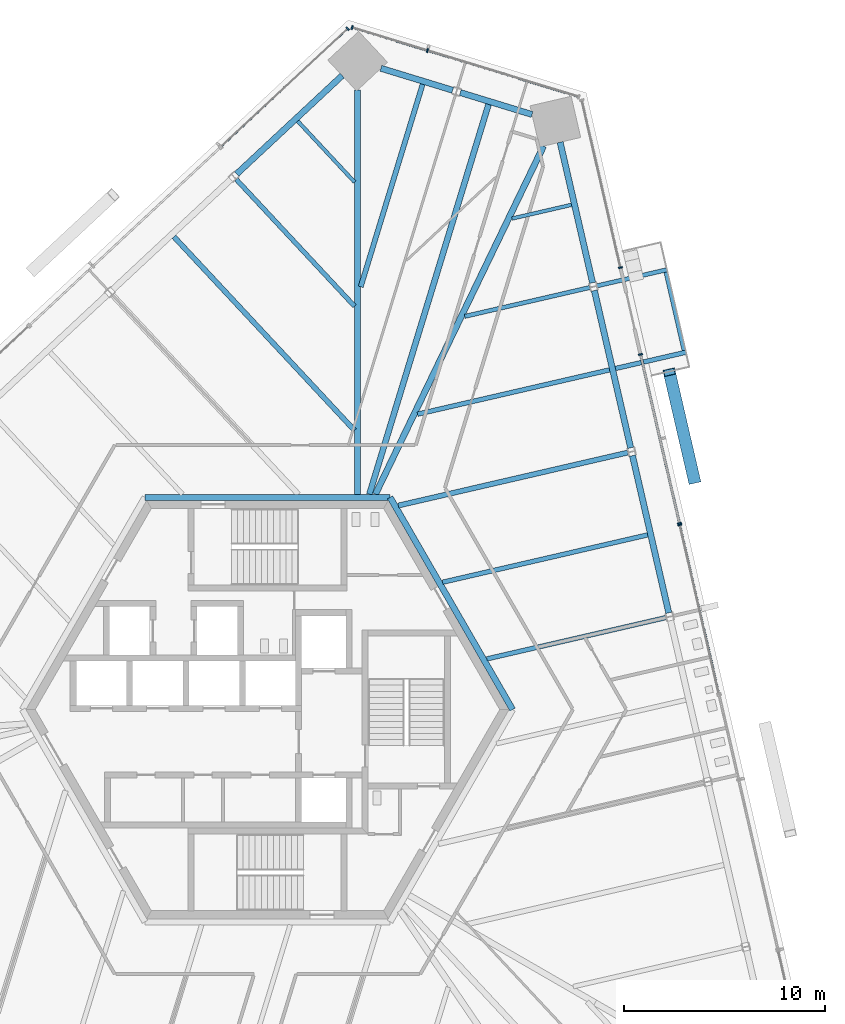
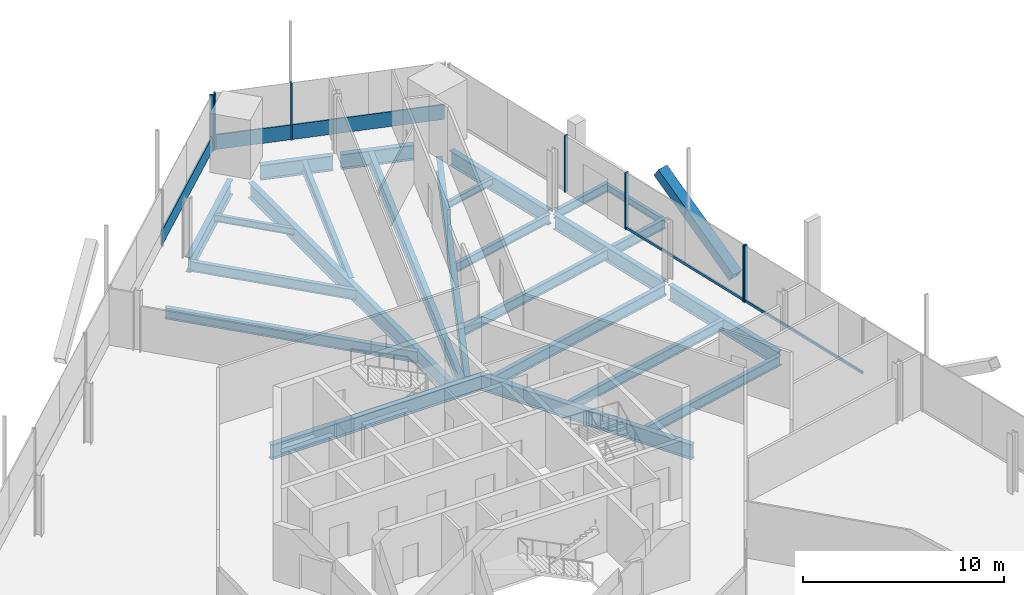
# One storey, part 8 of 21: 24 beams, 13 members, 5 elements without a shape of their own.
"""IFC4 building model written with IfcOpenShell, lengths in metres."""

import ifcopenshell
import ifcopenshell.guid

model = None  # the IFC model being written
_history = None  # IfcOwnerHistory: only IFC2X3 demands one
_inside = {}  # id of a spatial element -> (the spatial element, [elements in it])
_under = {}  # id of a project, library or spatial element -> (it, [spatial elements below it])
_declared = {}  # id of a project -> (the project, [libraries it declares])
_typed = {}  # id of a type object -> (the type object, [elements of that type])
_made_of = {}  # id of a material, layer set ... -> (it, [elements and type objects made of it])


def new_model(schema):
    """Start an empty IFC model of exactly this schema.

    Asked for "IFC4X3", IfcOpenShell would pick the latest addendum, in which some entities
    have other attributes; the version numbers below select the first issue.
    IFC2X3 requires an IfcOwnerHistory on every rooted entity: one is made here for all.
    """
    global model, _history
    if schema == "IFC4X3":
        model = ifcopenshell.file(schema_version=(4, 3, 0, 0))
    else:
        model = ifcopenshell.file(schema=schema)
    _inside.clear()
    _under.clear()
    _declared.clear()
    _typed.clear()
    _made_of.clear()
    _history = None
    if model.schema == "IFC2X3":
        org = make("IfcOrganization", Name="unknown")
        user = make(
            "IfcPersonAndOrganization",
            ThePerson=make("IfcPerson", FamilyName="unknown"),
            TheOrganization=org,
        )
        app = make(
            "IfcApplication",
            ApplicationDeveloper=org,
            Version="unknown",
            ApplicationFullName="unknown",
            ApplicationIdentifier="unknown",
        )
        _history = make(
            "IfcOwnerHistory",
            OwningUser=user,
            OwningApplication=app,
            ChangeAction="ADDED",
            CreationDate=0,
        )
    return model


def make(cls, **values):
    """One entity of the class cls with the attributes given. An attribute that is None is left unset."""
    return model.create_entity(
        cls, **{name: value for name, value in values.items() if value is not None}
    )


def rooted(cls, **values):
    """An entity with a GlobalId (a new one), such as an element, a storey or a relation."""
    return make(cls, GlobalId=ifcopenshell.guid.new(), OwnerHistory=_history, **values)


def si_unit(unit_type, name, prefix=None):
    """IfcSIUnit, for example si_unit("LENGTHUNIT", "METRE", prefix="MILLI")."""
    return make("IfcSIUnit", UnitType=unit_type, Prefix=prefix, Name=name)


def assignment(units):
    """IfcUnitAssignment: the units of a project."""
    return None if units is None else make("IfcUnitAssignment", Units=units)


def point(xyz):
    """IfcCartesianPoint."""
    return None if xyz is None else make("IfcCartesianPoint", Coordinates=xyz)


def direction(xyz):
    """IfcDirection."""
    return None if xyz is None else make("IfcDirection", DirectionRatios=xyz)


def frame(location, z_axis=None, x_axis=None):
    """IfcAxis2Placement3D, a coordinate frame: its origin and axes. An axis left out is left unset."""
    return make(
        "IfcAxis2Placement3D",
        Location=point(location),
        Axis=direction(z_axis),
        RefDirection=direction(x_axis),
    )


def frame_2d(location, x_axis=None):
    """IfcAxis2Placement2D, a coordinate frame in the plane: its origin and x axis."""
    return make(
        "IfcAxis2Placement2D", Location=point(location), RefDirection=direction(x_axis)
    )


def origin():
    """The frame at (0, 0, 0) with its axes left unset."""
    return frame((0.0, 0.0, 0.0))


def origin_2d():
    """The frame at (0, 0) in the plane with its x axis left unset."""
    return frame_2d((0.0, 0.0))


def place(relative_to, where):
    """IfcLocalPlacement: puts the frame where relative to a parent placement (None: the world)."""
    return make(
        "IfcLocalPlacement", PlacementRelTo=relative_to, RelativePlacement=where
    )


def context(
    kind, dimensions, precision=None, world=None, true_north=None, identifier=None
):
    """IfcGeometricRepresentationContext, for example the 3D "Model" context."""
    return make(
        "IfcGeometricRepresentationContext",
        ContextIdentifier=identifier,
        ContextType=kind,
        CoordinateSpaceDimension=dimensions,
        Precision=precision,
        WorldCoordinateSystem=world,
        TrueNorth=true_north,
    )


def subcontext(parent, identifier, kind, view, scale=None):
    """IfcGeometricRepresentationSubContext, for example "Body" below "Model"."""
    return make(
        "IfcGeometricRepresentationSubContext",
        ContextIdentifier=identifier,
        ContextType=kind,
        ParentContext=parent,
        TargetScale=scale,
        TargetView=view,
    )


def project(units=None, contexts=None):
    """IfcProject with its units and contexts."""
    return rooted(
        "IfcProject",
        Name="project",
        RepresentationContexts=contexts,
        UnitsInContext=assignment(units),
    )


def spatial(cls, under=None, at=None, **own):
    """A site, building, storey or space (cls), placed at a placement, below another one or the project."""
    s = rooted(cls, ObjectPlacement=at, **own)
    if under is not None:
        _under.setdefault(under.id(), (under, []))[1].append(s)
    return s


def profile(cls, at=None, kind="AREA", **sizes):
    """A parametric profile (cls). Its sizes go by their IFC names, for example OverallWidth=200.0."""
    return make(cls, ProfileType=kind, Position=at, **sizes)


def rectangle(**sizes):
    """IfcRectangleProfileDef."""
    return profile("IfcRectangleProfileDef", **sizes)


def hollow_rectangle(**sizes):
    """IfcRectangleHollowProfileDef."""
    return profile("IfcRectangleHollowProfileDef", **sizes)


def i_section(**sizes):
    """IfcIShapeProfileDef."""
    return profile("IfcIShapeProfileDef", **sizes)


def extrude(swept, where, along, depth):
    """IfcExtrudedAreaSolid: the profile swept, set in the frame where, extruded along a direction by depth."""
    return make(
        "IfcExtrudedAreaSolid",
        SweptArea=swept,
        Position=where,
        ExtrudedDirection=direction(along),
        Depth=depth,
    )


def shape(context_of_items, identifier, shape_type, items):
    """IfcShapeRepresentation: the items that make up one representation, for example the "Body"."""
    return make(
        "IfcShapeRepresentation",
        ContextOfItems=context_of_items,
        RepresentationIdentifier=identifier,
        RepresentationType=shape_type,
        Items=items,
    )


def source(mapping_origin, context_of_items, identifier, shape_type, items):
    """IfcRepresentationMap: a shape defined once, which mapped items show again and again."""
    return make(
        "IfcRepresentationMap",
        MappingOrigin=mapping_origin,
        MappedRepresentation=shape(context_of_items, identifier, shape_type, items),
    )


def transform(
    local_origin,
    x_axis=None,
    y_axis=None,
    z_axis=None,
    scale=None,
    scale2=None,
    scale3=None,
    uniform=True,
):
    """IfcCartesianTransformationOperator3D, or its non-uniform kind. x_axis, y_axis, z_axis: its Axis1, 2, 3."""
    if uniform:
        return make(
            "IfcCartesianTransformationOperator3D",
            Axis1=direction(x_axis),
            Axis2=direction(y_axis),
            LocalOrigin=point(local_origin),
            Scale=scale,
            Axis3=direction(z_axis),
        )
    return make(
        "IfcCartesianTransformationOperator3DnonUniform",
        Axis1=direction(x_axis),
        Axis2=direction(y_axis),
        LocalOrigin=point(local_origin),
        Scale=scale,
        Axis3=direction(z_axis),
        Scale2=scale2,
        Scale3=scale3,
    )


def mapped(mapping_source, mapping_target):
    """IfcMappedItem: shows the shape of a source again, moved by a transform."""
    return make(
        "IfcMappedItem", MappingSource=mapping_source, MappingTarget=mapping_target
    )


def material(Name=None, Category=None):
    """IfcMaterial."""
    return make("IfcMaterial", Name=Name, Category=Category)


def material_profile(
    of_material, cross_section, Name=None, Category=None, Priority=None
):
    """IfcMaterialProfile: a cross section and its material."""
    return make(
        "IfcMaterialProfile",
        Name=Name,
        Material=of_material,
        Profile=cross_section,
        Priority=Priority,
        Category=Category,
    )


def profile_set(profiles, Name=None, composite=None):
    """IfcMaterialProfileSet."""
    return make(
        "IfcMaterialProfileSet",
        Name=Name,
        MaterialProfiles=profiles,
        CompositeProfile=composite,
    )


def made_of(thing, what):
    """Note that an element or type object is made of a material, layer set ...; save() writes the relation."""
    if what is not None:
        _made_of.setdefault(what.id(), (what, []))[1].append(thing)
    return thing


def type_object(cls, material=None, **own):
    """A type object (cls), such as IfcWallType, which elements share."""
    return made_of(rooted(cls, **own), material)


def element(
    cls,
    number,
    at=None,
    inside=None,
    cuts=None,
    type_object=None,
    material=None,
    context=None,
    identifier="Body",
    shape_type=None,
    held_by="IfcProductDefinitionShape",
    body=None,
    shapes=None,
    **own,
):
    """One element of the class cls, such as IfcWall. Its Tag is "e" and its number.

    at: its placement. inside: the storey or other place that contains it. cuts: it is an
    opening in that element (IfcRelVoidsElement). A single representation is given by context,
    identifier, shape_type and body (its items); several are given by shapes. held_by: the class
    of the entity that holds the representations. save() writes the other relations.
    """
    e = rooted(cls, Tag="e%d" % number, ObjectPlacement=at, **own)
    if body is not None:
        shapes = [shape(context, identifier, shape_type, body)]
    if shapes is not None:
        e.Representation = make(held_by, Representations=shapes)
    if inside is not None:
        _inside.setdefault(inside.id(), (inside, []))[1].append(e)
    if cuts is not None:
        rooted(
            "IfcRelVoidsElement", RelatingBuildingElement=cuts, RelatedOpeningElement=e
        )
    if type_object is not None:
        _typed.setdefault(type_object.id(), (type_object, []))[1].append(e)
    return made_of(e, material)


def aggregate(whole, parts):
    """IfcRelAggregates: a whole, such as a stair, and the parts it consists of."""
    return rooted("IfcRelAggregates", RelatingObject=whole, RelatedObjects=parts)


def save(model, path):
    """Write the relations noted so far, then the file.

    IfcRelAggregates (storeys below a building ...), IfcRelContainedInSpatialStructure (elements
    in a storey), IfcRelDefinesByType, IfcRelAssociatesMaterial and IfcRelDeclares: one each for
    every whole, place, type object, material and project.
    """
    for whole, parts in _under.values():
        aggregate(whole, parts)
    for where, things in _inside.values():
        rooted(
            "IfcRelContainedInSpatialStructure",
            RelatedElements=things,
            RelatingStructure=where,
        )
    for kind, things in _typed.values():
        rooted("IfcRelDefinesByType", RelatedObjects=things, RelatingType=kind)
    for what, things in _made_of.values():
        rooted("IfcRelAssociatesMaterial", RelatedObjects=things, RelatingMaterial=what)
    for by, libraries in _declared.values():
        rooted("IfcRelDeclares", RelatingContext=by, RelatedDefinitions=libraries)
    model.write(path)


model = new_model("IFC4")

# Units and contexts
model_context = context("Model", 3, precision=1e-05, world=origin(), true_north=direction((0.0, 1.0)))
body_context = subcontext(model_context, "Body", "Model", "MODEL_VIEW")
ifc_project = project(units=[si_unit("LENGTHUNIT", "METRE"), si_unit("AREAUNIT", "SQUARE_METRE"), si_unit("VOLUMEUNIT", "CUBIC_METRE"), si_unit("PLANEANGLEUNIT", "RADIAN"), si_unit("MASSUNIT", "GRAM", prefix="KILO")], contexts=[model_context])

# Site, building, storey
site_placement = place(None, origin())
site = spatial("IfcSite", under=ifc_project, at=site_placement, CompositionType="ELEMENT")
building_placement = place(site_placement, origin())
building = spatial("IfcBuilding", under=site, at=building_placement, Name="Triune Harvest Tower", CompositionType="ELEMENT")
storey_placement = place(building_placement, frame((0.0, 0.0, 119.89990234375)))
storey = spatial("IfcBuildingStorey", under=building, at=storey_placement, Name="L30", CompositionType="ELEMENT", Elevation=119.89990234375)

# Beams
ifc_material_1 = material(Name="Steel ASTM A992 Gr 50", Category="steel")
ifc_material_profile_1 = material_profile(ifc_material_1, i_section(OverallWidth=0.180908203125, OverallDepth=0.41650390625, WebThickness=0.010986328125, FlangeThickness=0.01806640625, at=origin_2d()), Name="W16x57")
ifc_profile_set_1 = profile_set([ifc_material_profile_1], Name="Steel ASTM A992 Gr 50")
beam_type_1 = type_object("IfcBeamType", Name="BE-1 balcony edge beam W16x57", PredefinedType="BEAM", material=ifc_profile_set_1)
beam_1_placement = place(storey_placement, frame((19.78369140625, 21.731201171875, -0.3681640625), z_axis=(0.22493551959, -0.974373651135, 0.0), x_axis=(0.974373651135, 0.22493551959, 0.0)))
element("IfcBeam", 1, at=beam_1_placement, inside=storey, type_object=beam_type_1, Name="Balcony edge beam B3-F1 L30.10", PredefinedType="BEAM", context=body_context, shape_type="SweptSolid", body=[
    extrude(i_section(OverallWidth=0.180908203125, OverallDepth=0.41650390625, WebThickness=0.010986328125, FlangeThickness=0.01806640625, at=origin_2d()), origin(), (0.0, 0.0, 1.0), 3.98779296875),
])
ifc_material_2 = material(Name="Steel ASTM A992 Gr 50", Category="steel")
ifc_material_profile_2 = material_profile(ifc_material_2, i_section(OverallWidth=0.3046875, OverallDepth=0.914306640625, WebThickness=0.0166015625, FlangeThickness=0.02587890625, at=origin_2d()), Name="W36x160")
ifc_profile_set_2 = profile_set([ifc_material_profile_2], Name="Steel ASTM A992 Gr 50")
beam_type_2 = type_object("IfcBeamType", Name="CG-1 Core ring girder W36x160", PredefinedType="BEAM", material=ifc_profile_set_2)
shared_shape_1 = source(origin(), body_context, "Body", "SweptSolid", [
    extrude(i_section(OverallWidth=0.3046875, OverallDepth=0.914306640625, WebThickness=0.0166015625, FlangeThickness=0.02587890625, at=origin_2d()), origin(), (0.0, 0.0, 1.0), 12.176025390625),
])
beam_2_placement = place(storey_placement, frame((12.176025390625, 0.0, -0.6171875), z_axis=(-0.5000099932, 0.866019634131, 0.0), x_axis=(-0.866019634131, -0.5000099932, 0.0)))
element("IfcBeam", 2, at=beam_2_placement, inside=storey, type_object=beam_type_2, Name="beam/L30/CG1", PredefinedType="BEAM", context=body_context, shape_type="MappedRepresentation", body=[
    mapped(shared_shape_1, transform((0.0, 0.0, 0.0), scale=1.0)),
])
shared_shape_2 = source(origin(), body_context, "Body", "SweptSolid", [
    extrude(i_section(OverallWidth=0.3046875, OverallDepth=0.914306640625, WebThickness=0.0166015625, FlangeThickness=0.02587890625, at=origin_2d()), origin(), (0.0, 0.0, 1.0), 12.17578125),
])
beam_3_placement = place(storey_placement, frame((6.087890625, 10.544677734375, -0.6171875), z_axis=(-1.0, 0.0, 0.0), x_axis=(0.0, -1.0, 0.0)))
element("IfcBeam", 3, at=beam_3_placement, inside=storey, type_object=beam_type_2, Name="beam/L30/CG2", PredefinedType="BEAM", context=body_context, shape_type="MappedRepresentation", body=[
    mapped(shared_shape_2, transform((0.0, 0.0, 0.0), scale=1.0)),
])
ifc_material_3 = material(Name="Steel ASTM A992 Gr 50", Category="steel")
ifc_material_profile_3 = material_profile(ifc_material_3, i_section(OverallWidth=0.3046875, OverallDepth=0.914306640625, WebThickness=0.0166015625, FlangeThickness=0.02587890625, at=origin_2d()), Name="W36x160")
ifc_profile_set_3 = profile_set([ifc_material_profile_3], Name="Steel ASTM A992 Gr 50")
beam_type_3 = type_object("IfcBeamType", Name="SB-1 Spandrel beam W36x160", PredefinedType="SPANDREL", material=ifc_profile_set_3)
shared_shape_3 = source(origin(), body_context, "Body", "SweptSolid", [
    extrude(i_section(OverallWidth=0.3046875, OverallDepth=0.914306640625, WebThickness=0.0166015625, FlangeThickness=0.02587890625, at=origin_2d()), origin(), (0.0, 0.0, 1.0), 8.0185546875),
])
beam_4_placement = place(storey_placement, frame((18.04248046875, 13.00439453125, -0.6171875), z_axis=(-0.224915098534, 0.974378365139, 0.0), x_axis=(-0.974378365139, -0.224915098534, 0.0)))
element("IfcBeam", 4, at=beam_4_placement, inside=storey, type_object=beam_type_3, Name="beam/L30/SB5", PredefinedType="SPANDREL", context=body_context, shape_type="MappedRepresentation", body=[
    mapped(shared_shape_3, transform((0.0, 0.0, 0.0), scale=1.0)),
])
shared_shape_4 = source(origin(), body_context, "Body", "SweptSolid", [
    extrude(i_section(OverallWidth=0.3046875, OverallDepth=0.914306640625, WebThickness=0.0166015625, FlangeThickness=0.02587890625, at=origin_2d()), origin(), (0.0, 0.0, 1.0), 8.01806640625),
])
beam_5_placement = place(storey_placement, frame((19.935546875, 4.805908203125, -0.6171875), z_axis=(-0.224957352975, 0.97436861061, 0.0), x_axis=(-0.97436861061, -0.224957352975, 0.0)))
element("IfcBeam", 5, at=beam_5_placement, inside=storey, type_object=beam_type_3, Name="beam/L30/SB4", PredefinedType="SPANDREL", context=body_context, shape_type="MappedRepresentation", body=[
    mapped(shared_shape_4, transform((0.0, 0.0, 0.0), scale=1.0)),
])
shared_shape_5 = source(origin(), body_context, "Body", "SweptSolid", [
    extrude(i_section(OverallWidth=0.3046875, OverallDepth=0.914306640625, WebThickness=0.0166015625, FlangeThickness=0.02587890625, at=origin_2d()), origin(), (0.0, 0.0, 1.0), 7.16650390625),
])
for number, where, z_axis, x_axis, name in (
    (6, (16.14990234375, 21.203369140625, -0.6171875), (-0.224981420466, 0.974363053715, 0.0), (-0.974363053715, -0.224981420466, 0.0), "beam/L30/SB6"),
    (7, (3.709228515625, 31.49658203125, -0.6171875), (-0.731357675554, -0.681994098515, 0.0), (0.681994098515, -0.731357675554, 0.0), "beam/L30/SB9"),
):
    element("IfcBeam", number, at=place(storey_placement, frame(where, z_axis=z_axis, x_axis=x_axis)), inside=storey, type_object=beam_type_3, Name=name, PredefinedType="SPANDREL", context=body_context, shape_type="MappedRepresentation", body=[
        mapped(shared_shape_5, transform((0.0, 0.0, 0.0), scale=1.0)),
    ])
shared_shape_6 = source(origin(), body_context, "Body", "SweptSolid", [
    extrude(i_section(OverallWidth=0.3046875, OverallDepth=0.914306640625, WebThickness=0.0166015625, FlangeThickness=0.02587890625, at=origin_2d()), origin(), (0.0, 0.0, 1.0), 3.72607421875),
])
beam_6_placement = place(storey_placement, frame((13.14208984375, 29.563720703125, -0.6171875), z_axis=(-0.956307307825, 0.292363357829, 0.0), x_axis=(-0.292363357829, -0.956307307825, 0.0)))
element("IfcBeam", 8, at=beam_6_placement, inside=storey, type_object=beam_type_3, Name="beam/L30/SB7", PredefinedType="SPANDREL", context=body_context, shape_type="MappedRepresentation", body=[
    mapped(shared_shape_6, transform((0.0, 0.0, 0.0), scale=1.0)),
])
shared_shape_7 = source(origin(), body_context, "Body", "SweptSolid", [
    extrude(i_section(OverallWidth=0.3046875, OverallDepth=0.914306640625, WebThickness=0.0166015625, FlangeThickness=0.02587890625, at=origin_2d()), origin(), (0.0, 0.0, 1.0), 3.725830078125),
])
beam_7_placement = place(storey_placement, frame((9.19970703125, 30.768798828125, -0.6171875), z_axis=(-0.956301706638, 0.292381678431, 0.0), x_axis=(-0.292381678431, -0.956301706638, 0.0)))
element("IfcBeam", 9, at=beam_7_placement, inside=storey, type_object=beam_type_3, Name="beam/L30/SB8", PredefinedType="SPANDREL", context=body_context, shape_type="MappedRepresentation", body=[
    mapped(shared_shape_7, transform((0.0, 0.0, 0.0), scale=1.0)),
])
ifc_material_4 = material(Name="Steel ASTM A992 Gr 50", Category="steel")
ifc_material_profile_4 = material_profile(ifc_material_4, i_section(OverallWidth=0.307373046875, OverallDepth=0.922119140625, WebThickness=0.018310546875, FlangeThickness=0.030029296875, at=origin_2d()), Name="W36x182")
ifc_profile_set_4 = profile_set([ifc_material_profile_4], Name="Steel ASTM A992 Gr 50")
beam_type_4 = type_object("IfcBeamType", Name="HG-2 Hip girder W36x182", PredefinedType="BEAM", material=ifc_profile_set_4)
shared_shape_8 = source(origin(), body_context, "Body", "SweptSolid", [
    extrude(i_section(OverallWidth=0.307373046875, OverallDepth=0.922119140625, WebThickness=0.018310546875, FlangeThickness=0.030029296875, at=origin_2d()), origin(), (0.0, 0.0, 1.0), 19.2109375),
])
beam_8_placement = place(storey_placement, frame((13.7158203125, 27.996337890625, -0.620849609375), z_axis=(-0.434869540736, -0.900493466129, 0.0), x_axis=(0.900493466129, -0.434869540736, 0.0)))
element("IfcBeam", 10, at=beam_8_placement, inside=storey, type_object=beam_type_4, Name="beam/L30/HG3", PredefinedType="BEAM", context=body_context, shape_type="MappedRepresentation", body=[
    mapped(shared_shape_8, transform((0.0, 0.0, 0.0), scale=1.0)),
])
shared_shape_9 = source(origin(), body_context, "Body", "SweptSolid", [
    extrude(i_section(OverallWidth=0.307373046875, OverallDepth=0.922119140625, WebThickness=0.018310546875, FlangeThickness=0.030029296875, at=origin_2d()), origin(), (0.0, 0.0, 1.0), 20.080078125),
])
beam_9_placement = place(storey_placement, frame((4.47705078125, 30.777099609375, -0.620849609375), z_axis=(0.0, -1.0, 0.0), x_axis=(1.0, 0.0, 0.0)))
element("IfcBeam", 11, at=beam_9_placement, inside=storey, type_object=beam_type_4, Name="beam/L30/HG4", PredefinedType="BEAM", context=body_context, shape_type="MappedRepresentation", body=[
    mapped(shared_shape_9, transform((0.0, 0.0, 0.0), scale=1.0)),
])
ifc_material_5 = material(Name="Steel ASTM A992 Gr 50", Category="steel")
ifc_material_profile_5 = material_profile(ifc_material_5, i_section(OverallWidth=0.22900390625, OverallDepth=0.612060546875, WebThickness=0.011962890625, FlangeThickness=0.01953125, at=origin_2d()), Name="W24x84")
ifc_profile_set_5 = profile_set([ifc_material_profile_5], Name="Steel ASTM A992 Gr 50")
beam_type_5 = type_object("IfcBeamType", Name="JT-3 Floor joist W24x84", PredefinedType="JOIST", material=ifc_profile_set_5)
shared_shape_10 = source(origin(), body_context, "Body", "SweptSolid", [
    extrude(i_section(OverallWidth=0.22900390625, OverallDepth=0.612060546875, WebThickness=0.011962890625, FlangeThickness=0.01953125, at=origin_2d()), origin(), (0.0, 0.0, 1.0), 9.129150390625),
])
beam_10_placement = place(storey_placement, frame((19.79443359375, 4.56982421875, -0.466064453125), z_axis=(-0.974374065454, -0.22493372484, 0.0), x_axis=(0.22493372484, -0.974374065454, 0.0)))
element("IfcBeam", 12, at=beam_10_placement, inside=storey, type_object=beam_type_5, Name="beam/L30/JT6", PredefinedType="JOIST", context=body_context, shape_type="MappedRepresentation", body=[
    mapped(shared_shape_10, transform((0.0, 0.0, 0.0), scale=1.0)),
])
shared_shape_11 = source(origin(), body_context, "Body", "SweptSolid", [
    extrude(i_section(OverallWidth=0.22900390625, OverallDepth=0.612060546875, WebThickness=0.011962890625, FlangeThickness=0.01953125, at=origin_2d()), origin(), (0.0, 0.0, 1.0), 10.45361328125),
])
beam_11_placement = place(storey_placement, frame((18.88525390625, 8.677978515625, -0.466064453125), z_axis=(-0.974370329956, -0.224949905758, 0.0), x_axis=(0.224949905758, -0.974370329956, 0.0)))
element("IfcBeam", 13, at=beam_11_placement, inside=storey, type_object=beam_type_5, Name="beam/L30/JT7", PredefinedType="JOIST", context=body_context, shape_type="MappedRepresentation", body=[
    mapped(shared_shape_11, transform((0.0, 0.0, 0.0), scale=1.0)),
])
ifc_material_6 = material(Name="Steel ASTM A992 Gr 50", Category="steel")
ifc_material_profile_6 = material_profile(ifc_material_6, i_section(OverallWidth=0.253662109375, OverallDepth=0.683349609375, WebThickness=0.012451171875, FlangeThickness=0.01904296875, at=origin_2d()), Name="W27x94")
ifc_profile_set_6 = profile_set([ifc_material_profile_6], Name="Steel ASTM A992 Gr 50")
beam_type_6 = type_object("IfcBeamType", Name="JT-4 Floor joist W27x94", PredefinedType="JOIST", material=ifc_profile_set_6)
shared_shape_12 = source(origin(), body_context, "Body", "SweptSolid", [
    extrude(i_section(OverallWidth=0.253662109375, OverallDepth=0.683349609375, WebThickness=0.012451171875, FlangeThickness=0.01904296875, at=origin_2d()), origin(), (0.0, 0.0, 1.0), 11.701904296875),
])
beam_12_placement = place(storey_placement, frame((17.901611328125, 12.768798828125, -0.50146484375), z_axis=(-0.974365520252, -0.224970737974, 0.0), x_axis=(0.224970737974, -0.974365520252, 0.0)))
element("IfcBeam", 14, at=beam_12_placement, inside=storey, type_object=beam_type_6, Name="beam/L30/JT8", PredefinedType="JOIST", context=body_context, shape_type="MappedRepresentation", body=[
    mapped(shared_shape_12, transform((0.0, 0.0, 0.0), scale=1.0)),
])
shared_shape_13 = source(origin(), body_context, "Body", "SweptSolid", [
    extrude(i_section(OverallWidth=0.22900390625, OverallDepth=0.612060546875, WebThickness=0.011962890625, FlangeThickness=0.01953125, at=origin_2d()), origin(), (0.0, 0.0, 1.0), 9.790283203125),
])
beam_13_placement = place(storey_placement, frame((16.9921875, 16.876708984375, -0.466064453125), z_axis=(-0.974368495141, -0.224957853113, 0.0), x_axis=(0.224957853113, -0.974368495141, 0.0)))
element("IfcBeam", 15, at=beam_13_placement, inside=storey, type_object=beam_type_5, Name="beam/L30/JT9", PredefinedType="JOIST", context=body_context, shape_type="MappedRepresentation", body=[
    mapped(shared_shape_13, transform((0.0, 0.0, 0.0), scale=1.0)),
])
ifc_material_7 = material(Name="Steel ASTM A992 Gr 50", Category="steel")
ifc_material_profile_7 = material_profile(ifc_material_7, i_section(OverallWidth=0.2099609375, OverallDepth=0.535888671875, WebThickness=0.010986328125, FlangeThickness=0.017333984375, at=origin_2d()), Name="W21x68")
ifc_profile_set_7 = profile_set([ifc_material_profile_7], Name="Steel ASTM A992 Gr 50")
beam_type_7 = type_object("IfcBeamType", Name="JT-2 Floor joist W21x68", PredefinedType="JOIST", material=ifc_profile_set_7)
shared_shape_14 = source(origin(), body_context, "Body", "SweptSolid", [
    extrude(i_section(OverallWidth=0.2099609375, OverallDepth=0.535888671875, WebThickness=0.010986328125, FlangeThickness=0.017333984375, at=origin_2d()), origin(), (0.0, 0.0, 1.0), 6.372314453125),
])
beam_14_placement = place(storey_placement, frame((16.0087890625, 20.967529296875, -0.427978515625), z_axis=(-0.974365360565, -0.224971429586, 0.0), x_axis=(0.224971429586, -0.974365360565, 0.0)))
element("IfcBeam", 16, at=beam_14_placement, inside=storey, type_object=beam_type_7, Name="beam/L30/JT10", PredefinedType="JOIST", context=body_context, shape_type="MappedRepresentation", body=[
    mapped(shared_shape_14, transform((0.0, 0.0, 0.0), scale=1.0)),
])
ifc_material_8 = material(Name="Steel ASTM A992 Gr 50", Category="steel")
ifc_material_profile_8 = material_profile(ifc_material_8, i_section(OverallWidth=0.180908203125, OverallDepth=0.41650390625, WebThickness=0.010986328125, FlangeThickness=0.01806640625, at=origin_2d()), Name="W16x57")
ifc_profile_set_8 = profile_set([ifc_material_profile_8], Name="Steel ASTM A992 Gr 50")
beam_type_8 = type_object("IfcBeamType", Name="JT-1 Floor joist W16x57", PredefinedType="JOIST", material=ifc_profile_set_8)
shared_shape_15 = source(origin(), body_context, "Body", "SweptSolid", [
    extrude(i_section(OverallWidth=0.180908203125, OverallDepth=0.41650390625, WebThickness=0.010986328125, FlangeThickness=0.01806640625, at=origin_2d()), origin(), (0.0, 0.0, 1.0), 3.0302734375),
])
beam_15_placement = place(storey_placement, frame((15.099365234375, 25.075439453125, -0.3681640625), z_axis=(-0.974372182121, -0.224941882957, 0.0), x_axis=(0.224941882957, -0.974372182121, 0.0)))
element("IfcBeam", 17, at=beam_15_placement, inside=storey, type_object=beam_type_8, Name="beam/L30/JT11", PredefinedType="JOIST", context=body_context, shape_type="MappedRepresentation", body=[
    mapped(shared_shape_15, transform((0.0, 0.0, 0.0), scale=1.0)),
])
ifc_material_9 = material(Name="Steel ASTM A992 Gr 50", Category="steel")
ifc_material_profile_9 = material_profile(ifc_material_9, i_section(OverallWidth=0.2919921875, OverallDepth=0.8583984375, WebThickness=0.01708984375, FlangeThickness=0.031005859375, at=origin_2d()), Name="W33x169")
ifc_profile_set_9 = profile_set([ifc_material_profile_9], Name="Steel ASTM A992 Gr 50")
beam_type_9 = type_object("IfcBeamType", Name="JT-7 Floor joist W33x169", PredefinedType="JOIST", material=ifc_profile_set_9)
shared_shape_16 = source(origin(), body_context, "Body", "SweptSolid", [
    extrude(i_section(OverallWidth=0.2919921875, OverallDepth=0.8583984375, WebThickness=0.01708984375, FlangeThickness=0.031005859375, at=origin_2d()), origin(), (0.0, 0.0, 1.0), 20.252685546875),
])
beam_16_placement = place(storey_placement, frame((10.982177734375, 30.064697265625, -0.589111328125), z_axis=(-0.292364925189, -0.956306828648, 0.0), x_axis=(0.956306828648, -0.292364925189, 0.0)))
element("IfcBeam", 18, at=beam_16_placement, inside=storey, type_object=beam_type_9, Name="beam/L30/JT12", PredefinedType="JOIST", context=body_context, shape_type="MappedRepresentation", body=[
    mapped(shared_shape_16, transform((0.0, 0.0, 0.0), scale=1.0)),
])
shared_shape_17 = source(origin(), body_context, "Body", "SweptSolid", [
    extrude(i_section(OverallWidth=0.253662109375, OverallDepth=0.683349609375, WebThickness=0.012451171875, FlangeThickness=0.01904296875, at=origin_2d()), origin(), (0.0, 0.0, 1.0), 10.522705078125),
])
beam_17_placement = place(storey_placement, frame((7.707275390625, 31.065673828125, -0.50146484375), z_axis=(-0.292358820543, -0.956308694957, 0.0), x_axis=(0.956308694957, -0.292358820543, 0.0)))
element("IfcBeam", 19, at=beam_17_placement, inside=storey, type_object=beam_type_6, Name="beam/L30/JT13", PredefinedType="JOIST", context=body_context, shape_type="MappedRepresentation", body=[
    mapped(shared_shape_17, transform((0.0, 0.0, 0.0), scale=1.0)),
])
shared_shape_18 = source(origin(), body_context, "Body", "SweptSolid", [
    extrude(i_section(OverallWidth=0.180908203125, OverallDepth=0.41650390625, WebThickness=0.010986328125, FlangeThickness=0.01806640625, at=origin_2d()), origin(), (0.0, 0.0, 1.0), 4.134033203125),
])
beam_18_placement = place(storey_placement, frame((1.504150390625, 29.23193359375, -0.3681640625), z_axis=(0.681989931417, -0.731361561367, 0.0), x_axis=(0.731361561367, 0.681989931417, 0.0)))
element("IfcBeam", 20, at=beam_18_placement, inside=storey, type_object=beam_type_8, Name="beam/L30/JT14", PredefinedType="JOIST", context=body_context, shape_type="MappedRepresentation", body=[
    mapped(shared_shape_18, transform((0.0, 0.0, 0.0), scale=1.0)),
])
shared_shape_19 = source(origin(), body_context, "Body", "SweptSolid", [
    extrude(i_section(OverallWidth=0.22900390625, OverallDepth=0.612060546875, WebThickness=0.011962890625, FlangeThickness=0.01953125, at=origin_2d()), origin(), (0.0, 0.0, 1.0), 8.607666015625),
])
beam_19_placement = place(storey_placement, frame((-1.546875, 26.334716796875, -0.466064453125), z_axis=(0.681999854465, -0.731352308063, 0.0), x_axis=(0.731352308063, 0.681999854465, 0.0)))
element("IfcBeam", 21, at=beam_19_placement, inside=storey, type_object=beam_type_5, Name="beam/L30/JT15", PredefinedType="JOIST", context=body_context, shape_type="MappedRepresentation", body=[
    mapped(shared_shape_19, transform((0.0, 0.0, 0.0), scale=1.0)),
])
shared_shape_20 = source(origin(), body_context, "Body", "SweptSolid", [
    extrude(i_section(OverallWidth=0.253662109375, OverallDepth=0.683349609375, WebThickness=0.012451171875, FlangeThickness=0.01904296875, at=origin_2d()), origin(), (0.0, 0.0, 1.0), 13.157470703125),
])
beam_20_placement = place(storey_placement, frame((-4.64990234375, 23.493408203125, -0.50146484375), z_axis=(0.681997545037, -0.731354461642, 0.0), x_axis=(0.731354461642, 0.681997545037, 0.0)))
element("IfcBeam", 22, at=beam_20_placement, inside=storey, type_object=beam_type_6, Name="beam/L30/JT16", PredefinedType="JOIST", context=body_context, shape_type="MappedRepresentation", body=[
    mapped(shared_shape_20, transform((0.0, 0.0, 0.0), scale=1.0)),
])

# Member
ifc_material_10 = material(Name="Steel ASTM A572 Gr 50", Category="steel")
ifc_material_profile_10 = material_profile(ifc_material_10, hollow_rectangle(XDim=0.60009765625, YDim=0.60009765625, WallThickness=0.0400390625, at=origin_2d()), Name="Box 600x600x40")
ifc_profile_set_10 = profile_set([ifc_material_profile_10], Name="Steel ASTM A572 Gr 50")
member_type_1 = type_object("IfcMemberType", Name="BR-2 Brace Box 600x600x40", PredefinedType="BRACE", material=ifc_profile_set_10)
shared_shape_21 = source(origin(), body_context, "Body", "SweptSolid", [
    extrude(hollow_rectangle(XDim=0.60009765625, YDim=0.60009765625, WallThickness=0.0400390625, at=origin_2d()), origin(), (0.0, 0.0, 1.0), 6.56640625),
])
member_1_placement = place(storey_placement, frame((21.200927734375, 11.410400390625, 0.0), z_axis=(-0.188130999407, 0.814874923715, 0.548256861117), x_axis=(-0.974369462042, -0.224953665097, 0.0)))
element("IfcMember", 23, at=member_1_placement, inside=storey, type_object=member_type_1, Name="brace/B3-F1/d1/7", PredefinedType="BRACE", context=body_context, shape_type="MappedRepresentation", body=[
    mapped(shared_shape_21, transform((0.0, 0.0, 0.0), scale=1.0)),
])

# Beam
ifc_material_11 = material(Name="Steel ASTM A992 Gr 50", Category="steel")
ifc_material_profile_11 = material_profile(ifc_material_11, i_section(OverallWidth=0.22900390625, OverallDepth=0.612060546875, WebThickness=0.011962890625, FlangeThickness=0.01953125, at=origin_2d()), Name="W24x84")
ifc_profile_set_11 = profile_set([ifc_material_profile_11], Name="Steel ASTM A992 Gr 50")
beam_type_10 = type_object("IfcBeamType", Name="BJ-3 Balcony cantilever joist W24x84", PredefinedType="JOIST", material=ifc_profile_set_11)
shared_shape_22 = source(origin(), body_context, "Body", "SweptSolid", [
    extrude(i_section(OverallWidth=0.22900390625, OverallDepth=0.612060546875, WebThickness=0.011962890625, FlangeThickness=0.01953125, at=origin_2d()), origin(), (0.0, 0.0, 1.0), 3.597412109375),
])
beam_21_placement = place(storey_placement, frame((17.289306640625, 16.9453125, -0.466064453125), z_axis=(0.974382044773, 0.224899157012, 0.0), x_axis=(-0.224899157012, 0.974382044773, 0.0)))
element("IfcBeam", 24, at=beam_21_placement, inside=storey, type_object=beam_type_10, Name="Balcony cantilever joist B3-F1 L30.10b", PredefinedType="JOIST", context=body_context, shape_type="MappedRepresentation", body=[
    mapped(shared_shape_22, transform((0.0, 0.0, 0.0), scale=1.0)),
])

# Curtain wall, members
ifc_material_12 = material(Name="Aluminium bronze anodised", Category="aluminium")
curtain_wall_type_1 = type_object("IfcCurtainWallType", Name="CW-1 Tower stick curtain wall", PredefinedType="NOTDEFINED", material=ifc_material_12)
curtain_wall_1_placement = place(storey_placement, origin())
curtain_wall_1 = element("IfcCurtainWall", 25, at=curtain_wall_1_placement, inside=storey, type_object=curtain_wall_type_1, Name="CW-1 B3-F2 L30 run 1")
ifc_material_13 = material(Name="Aluminium bronze anodised", Category="aluminium")
ifc_material_profile_12 = material_profile(ifc_material_13, rectangle(XDim=0.199951171875, YDim=0.074951171875, at=origin_2d()), Name="MU-1 mullion 75 x 200")
ifc_profile_set_12 = profile_set([ifc_material_profile_12], Name="Aluminium bronze anodised")
member_type_2 = type_object("IfcMemberType", Name="MU-1 mullion 75 x 200", PredefinedType="MULLION", material=ifc_profile_set_12)
shared_shape_23 = source(origin(), body_context, "Body", "SweptSolid", [
    extrude(rectangle(XDim=0.199951171875, YDim=0.074951171875, at=origin_2d()), origin(), (0.0, 0.0, 1.0), 3.440185546875),
])
member_2_placement = place(storey_placement, frame((7.945068359375, 32.740478515625, 0.0), z_axis=(0.0, 0.0, 1.0), x_axis=(-0.292376962095, -0.956303148607, 0.0)))
member_2 = element("IfcMember", 26, at=member_2_placement, type_object=member_type_2, Name="CW-1 mullion B3-F2 1.3", PredefinedType="MULLION", context=body_context, shape_type="MappedRepresentation", body=[
    mapped(shared_shape_23, transform((0.0, 0.0, 0.0), scale=1.0)),
])
member_3_placement = place(storey_placement, frame((4.20458984375, 33.884033203125, 0.0), z_axis=(0.0, 0.0, 1.0), x_axis=(-0.292376962095, -0.956303148607, 0.0)))
member_3 = element("IfcMember", 27, at=member_3_placement, type_object=member_type_2, Name="CW-1 mullion B3-F2 1.4", PredefinedType="MULLION", context=body_context, shape_type="MappedRepresentation", body=[
    mapped(shared_shape_23, transform((0.0, 0.0, 0.0), scale=1.0)),
])

# Curtain wall, member
curtain_wall_2_placement = place(storey_placement, origin())
curtain_wall_2 = element("IfcCurtainWall", 28, at=curtain_wall_2_placement, inside=storey, type_object=curtain_wall_type_1, Name="CW-1 B3-F3 L30 run 1")
member_4_placement = place(storey_placement, frame((3.9892578125, 33.83447265625, 0.0), z_axis=(0.0, 0.0, 1.0), x_axis=(0.681997510149, -0.731354494176, 0.0)))
member_4 = element("IfcMember", 29, at=member_4_placement, type_object=member_type_2, Name="CW-1 mullion B3-F3 1.1", PredefinedType="MULLION", context=body_context, shape_type="MappedRepresentation", body=[
    mapped(shared_shape_23, transform((0.0, 0.0, 0.0), scale=1.0)),
])

ifc_material_14 = material(Name="Aluminium bronze anodised", Category="aluminium")
curtain_wall_type_2 = type_object("IfcCurtainWallType", Name="CW-6 Balcony window wall", PredefinedType="NOTDEFINED", material=ifc_material_14)
curtain_wall_3_placement = place(storey_placement, origin())
curtain_wall_3 = element("IfcCurtainWall", 30, at=curtain_wall_3_placement, inside=storey, type_object=curtain_wall_type_2, Name="CW-6 B3-F1 L30 run 2001")
ifc_material_15 = material(Name="Aluminium bronze anodised", Category="aluminium")
ifc_material_profile_13 = material_profile(ifc_material_15, rectangle(XDim=0.199951171875, YDim=0.074951171875, at=origin_2d()), Name="MU-6 mullion 75 x 200")
ifc_profile_set_13 = profile_set([ifc_material_profile_13], Name="Aluminium bronze anodised")
member_type_3 = type_object("IfcMemberType", Name="MU-6 mullion 75 x 200", PredefinedType="MULLION", material=ifc_profile_set_13)
shared_shape_24 = source(origin(), body_context, "Body", "SweptSolid", [
    extrude(rectangle(XDim=0.199951171875, YDim=0.074951171875, at=origin_2d()), origin(), (0.0, 0.0, 1.0), 3.440185546875),
])
member_5_placement = place(storey_placement, frame((20.484375, 9.178955078125, 0.0), z_axis=(0.0, 0.0, 1.0), x_axis=(-0.974372372387, -0.224941058787, 0.0)))
member_5 = element("IfcMember", 31, at=member_5_placement, type_object=member_type_3, Name="CW-6 mullion B3-F1 2001.3", PredefinedType="MULLION", context=body_context, shape_type="MappedRepresentation", body=[
    mapped(shared_shape_24, transform((0.0, 0.0, 0.0), scale=1.0)),
])

# Curtain wall, members
ifc_material_16 = material(Name="Aluminium bronze anodised", Category="aluminium")
curtain_wall_type_3 = type_object("IfcCurtainWallType", Name="CW-10 Balcony window wall with insulated spandrel infill", PredefinedType="NOTDEFINED", material=ifc_material_16)
curtain_wall_4_placement = place(storey_placement, origin())
curtain_wall_4 = element("IfcCurtainWall", 32, at=curtain_wall_4_placement, inside=storey, type_object=curtain_wall_type_3, Name="CW-10 B3-F1 L30 run 3001")
member_6_placement = place(storey_placement, frame((20.467529296875, 9.252197265625, 0.0), z_axis=(0.0, 0.0, 1.0), x_axis=(-0.974369072767, -0.224955351205, 0.0)))
member_6 = element("IfcMember", 33, at=member_6_placement, type_object=member_type_3, Name="CW-10 mullion B3-F1 3001.1", PredefinedType="MULLION", context=body_context, shape_type="MappedRepresentation", body=[
    mapped(shared_shape_24, transform((0.0, 0.0, 0.0), scale=1.0)),
])
member_7_placement = place(storey_placement, frame((18.5302734375, 17.64306640625, 0.0), z_axis=(0.0, 0.0, 1.0), x_axis=(-0.974369072767, -0.224955351205, 0.0)))
member_7 = element("IfcMember", 34, at=member_7_placement, type_object=member_type_3, Name="CW-10 mullion B3-F1 3001.3", PredefinedType="MULLION", context=body_context, shape_type="MappedRepresentation", body=[
    mapped(shared_shape_24, transform((0.0, 0.0, 0.0), scale=1.0)),
])

# Curtain wall, member
curtain_wall_5_placement = place(storey_placement, origin())
curtain_wall_5 = element("IfcCurtainWall", 35, at=curtain_wall_5_placement, inside=storey, type_object=curtain_wall_type_2, Name="CW-6 B3-F1 L30 run 2")
member_8_placement = place(storey_placement, frame((17.5341796875, 21.9580078125, 0.0), z_axis=(0.0, 0.0, 1.0), x_axis=(-0.974370027263, -0.22495121687, 0.0)))
member_8 = element("IfcMember", 36, at=member_8_placement, type_object=member_type_3, Name="CW-6 mullion B3-F1 2.1", PredefinedType="MULLION", context=body_context, shape_type="MappedRepresentation", body=[
    mapped(shared_shape_24, transform((0.0, 0.0, 0.0), scale=1.0)),
])
aggregate(curtain_wall_5, [member_8])

# Beam
ifc_material_17 = material(Name="Steel ASTM A992 Gr 50", Category="steel")
ifc_material_profile_14 = material_profile(ifc_material_17, i_section(OverallWidth=0.2099609375, OverallDepth=0.535888671875, WebThickness=0.010986328125, FlangeThickness=0.017333984375, at=origin_2d()), Name="W21x68")
ifc_profile_set_14 = profile_set([ifc_material_profile_14], Name="Steel ASTM A992 Gr 50")
beam_type_11 = type_object("IfcBeamType", Name="BJ-2 Balcony cantilever joist W21x68", PredefinedType="JOIST", material=ifc_profile_set_14)
shared_shape_25 = source(origin(), body_context, "Body", "SweptSolid", [
    extrude(i_section(OverallWidth=0.2099609375, OverallDepth=0.535888671875, WebThickness=0.010986328125, FlangeThickness=0.017333984375, at=origin_2d()), origin(), (0.0, 0.0, 1.0), 3.59765625),
])
beam_22_placement = place(storey_placement, frame((16.3427734375, 21.044677734375, -0.427978515625), z_axis=(0.97436717145, 0.224963586388, 0.0), x_axis=(-0.224963586388, 0.97436717145, 0.0)))
element("IfcBeam", 37, at=beam_22_placement, inside=storey, type_object=beam_type_11, Name="Balcony cantilever joist B3-F1 L30.10a", PredefinedType="JOIST", context=body_context, shape_type="MappedRepresentation", body=[
    mapped(shared_shape_25, transform((0.0, 0.0, 0.0), scale=1.0)),
])

# Member
ifc_material_18 = material(Name="Aluminium bronze anodised", Category="aluminium")
ifc_material_profile_15 = material_profile(ifc_material_18, rectangle(XDim=0.090087890625, YDim=0.89990234375, at=origin_2d()), Name="TR-1 transom 90 x 900")
ifc_profile_set_15 = profile_set([ifc_material_profile_15], Name="Aluminium bronze anodised")
member_type_4 = type_object("IfcMemberType", Name="TR-1 transom 90 x 900", PredefinedType="USERDEFINED", material=ifc_profile_set_15)
shared_shape_26 = source(origin(), body_context, "Body", "SweptSolid", [
    extrude(rectangle(XDim=0.090087890625, YDim=0.89990234375, at=origin_2d()), origin(), (0.0, 0.0, 1.0), 7.78564453125),
])
member_9_placement = place(storey_placement, frame((15.42626953125, 30.453125, 0.4501953125), z_axis=(-0.956300923205, 0.292384240817, 0.0), x_axis=(-0.292384240817, -0.956300923205, 0.0)))
member_9 = element("IfcMember", 38, at=member_9_placement, type_object=member_type_4, Name="CW-1 transom B3-F2 1.1", ObjectType="TRANSOM", PredefinedType="USERDEFINED", context=body_context, shape_type="MappedRepresentation", body=[
    mapped(shared_shape_26, transform((0.0, 0.0, 0.0), scale=1.0)),
])

shared_shape_27 = source(origin(), body_context, "Body", "SweptSolid", [
    extrude(rectangle(XDim=0.090087890625, YDim=0.89990234375, at=origin_2d()), origin(), (0.0, 0.0, 1.0), 3.83642578125),
])
member_10_placement = place(storey_placement, frame((7.9091796875, 32.75146484375, 0.4501953125), z_axis=(-0.956308580564, 0.292359194724, 0.0), x_axis=(-0.292359194724, -0.956308580564, 0.0)))
member_10 = element("IfcMember", 39, at=member_10_placement, type_object=member_type_4, Name="CW-1 transom B3-F2 1.2", ObjectType="TRANSOM", PredefinedType="USERDEFINED", context=body_context, shape_type="MappedRepresentation", body=[
    mapped(shared_shape_27, transform((0.0, 0.0, 0.0), scale=1.0)),
])

aggregate(curtain_wall_1, [member_2, member_3, member_9, member_10])

ifc_material_19 = material(Name="Aluminium bronze anodised", Category="aluminium")
ifc_material_profile_16 = material_profile(ifc_material_19, rectangle(XDim=0.090087890625, YDim=0.14990234375, at=origin_2d()), Name="TR-6 transom 90 x 150")
ifc_profile_set_16 = profile_set([ifc_material_profile_16], Name="Aluminium bronze anodised")
member_type_5 = type_object("IfcMemberType", Name="TR-6 transom 90 x 150", PredefinedType="USERDEFINED", material=ifc_profile_set_16)
shared_shape_28 = source(origin(), body_context, "Body", "SweptSolid", [
    extrude(rectangle(XDim=0.090087890625, YDim=0.14990234375, at=origin_2d()), origin(), (0.0, 0.0, 1.0), 8.536865234375),
])
member_11_placement = place(storey_placement, frame((22.4130859375, 0.824462890625, 0.0751953125), z_axis=(-0.224926342858, 0.974375769551, 0.0), x_axis=(-0.974375769551, -0.224926342858, 0.0)))
member_11 = element("IfcMember", 40, at=member_11_placement, type_object=member_type_5, Name="CW-6 transom B3-F1 2001.1", ObjectType="TRANSOM", PredefinedType="USERDEFINED", context=body_context, shape_type="MappedRepresentation", body=[
    mapped(shared_shape_28, transform((0.0, 0.0, 0.0), scale=1.0)),
])

aggregate(curtain_wall_3, [member_5, member_11])

member_12_placement = place(storey_placement, frame((20.459228515625, 9.28857421875, 0.0751953125), z_axis=(-0.224953494141, 0.97436950151, 0.0), x_axis=(-0.97436950151, -0.224953494141, 0.0)))
member_12 = element("IfcMember", 41, at=member_12_placement, type_object=member_type_5, Name="CW-10 transom B3-F1 3001.1", ObjectType="TRANSOM", PredefinedType="USERDEFINED", context=body_context, shape_type="MappedRepresentation", body=[
    mapped(shared_shape_28, transform((0.0, 0.0, 0.0), scale=1.0)),
])

aggregate(curtain_wall_4, [member_6, member_7, member_12])

shared_shape_29 = source(origin(), body_context, "Body", "SweptSolid", [
    extrude(rectangle(XDim=0.090087890625, YDim=0.89990234375, at=origin_2d()), origin(), (0.0, 0.0, 1.0), 8.526611328125),
])
member_13_placement = place(storey_placement, frame((3.9619140625, 33.808837890625, 0.4501953125), z_axis=(-0.731357026947, -0.681994794067, 0.0), x_axis=(0.681994794067, -0.731357026947, 0.0)))
member_13 = element("IfcMember", 42, at=member_13_placement, type_object=member_type_4, Name="CW-1 transom B3-F3 1.1", ObjectType="TRANSOM", PredefinedType="USERDEFINED", context=body_context, shape_type="MappedRepresentation", body=[
    mapped(shared_shape_29, transform((0.0, 0.0, 0.0), scale=1.0)),
])

aggregate(curtain_wall_2, [member_4, member_13])

save(model, "model.ifc")
